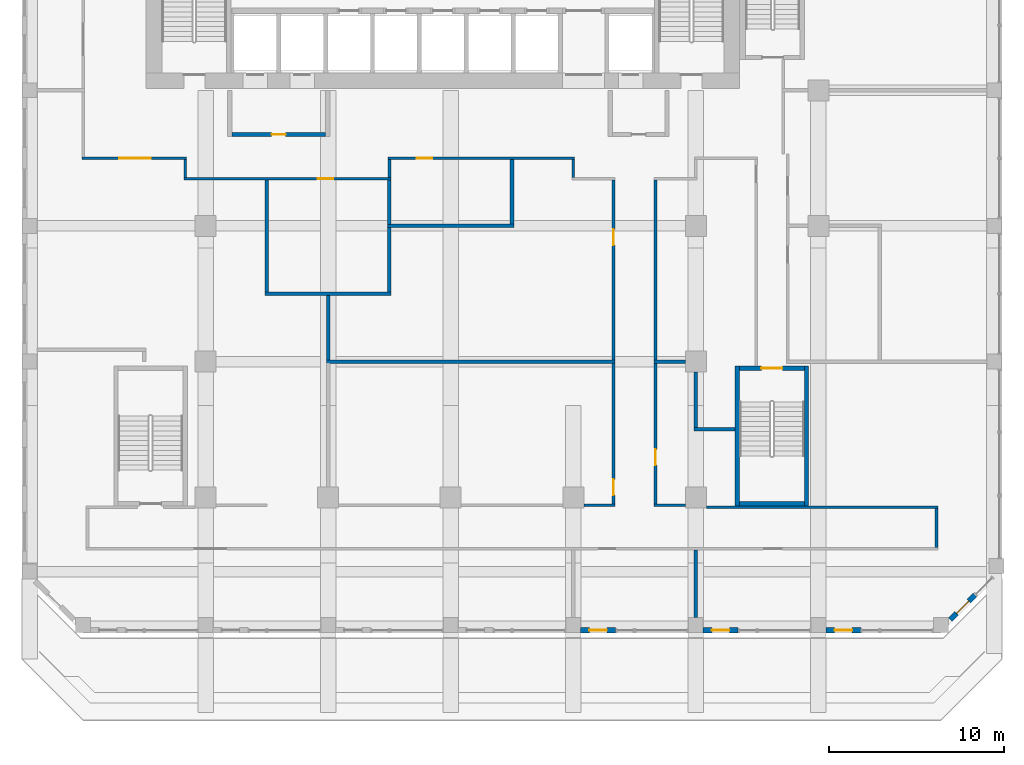
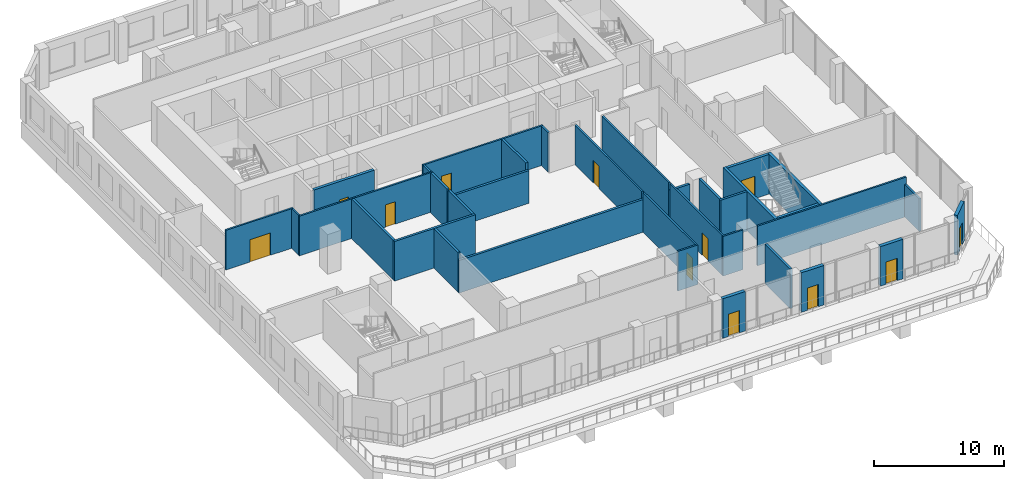
# One storey, part 10 of 17: 35 walls, 12 doors, 12 openings.
"""IFC4 building model written with IfcOpenShell, lengths in metres."""

import ifcopenshell
import ifcopenshell.guid

model = None  # the IFC model being written
_history = None  # IfcOwnerHistory: only IFC2X3 demands one
_inside = {}  # id of a spatial element -> (the spatial element, [elements in it])
_under = {}  # id of a project, library or spatial element -> (it, [spatial elements below it])
_declared = {}  # id of a project -> (the project, [libraries it declares])
_typed = {}  # id of a type object -> (the type object, [elements of that type])
_made_of = {}  # id of a material, layer set ... -> (it, [elements and type objects made of it])


def new_model(schema):
    """Start an empty IFC model of exactly this schema.

    Asked for "IFC4X3", IfcOpenShell would pick the latest addendum, in which some entities
    have other attributes; the version numbers below select the first issue.
    IFC2X3 requires an IfcOwnerHistory on every rooted entity: one is made here for all.
    """
    global model, _history
    if schema == "IFC4X3":
        model = ifcopenshell.file(schema_version=(4, 3, 0, 0))
    else:
        model = ifcopenshell.file(schema=schema)
    _inside.clear()
    _under.clear()
    _declared.clear()
    _typed.clear()
    _made_of.clear()
    _history = None
    if model.schema == "IFC2X3":
        org = make("IfcOrganization", Name="unknown")
        user = make(
            "IfcPersonAndOrganization",
            ThePerson=make("IfcPerson", FamilyName="unknown"),
            TheOrganization=org,
        )
        app = make(
            "IfcApplication",
            ApplicationDeveloper=org,
            Version="unknown",
            ApplicationFullName="unknown",
            ApplicationIdentifier="unknown",
        )
        _history = make(
            "IfcOwnerHistory",
            OwningUser=user,
            OwningApplication=app,
            ChangeAction="ADDED",
            CreationDate=0,
        )
    return model


def make(cls, **values):
    """One entity of the class cls with the attributes given. An attribute that is None is left unset."""
    return model.create_entity(
        cls, **{name: value for name, value in values.items() if value is not None}
    )


def rooted(cls, **values):
    """An entity with a GlobalId (a new one), such as an element, a storey or a relation."""
    return make(cls, GlobalId=ifcopenshell.guid.new(), OwnerHistory=_history, **values)


def si_unit(unit_type, name, prefix=None):
    """IfcSIUnit, for example si_unit("LENGTHUNIT", "METRE", prefix="MILLI")."""
    return make("IfcSIUnit", UnitType=unit_type, Prefix=prefix, Name=name)


def assignment(units):
    """IfcUnitAssignment: the units of a project."""
    return None if units is None else make("IfcUnitAssignment", Units=units)


def point(xyz):
    """IfcCartesianPoint."""
    return None if xyz is None else make("IfcCartesianPoint", Coordinates=xyz)


def direction(xyz):
    """IfcDirection."""
    return None if xyz is None else make("IfcDirection", DirectionRatios=xyz)


def frame(location, z_axis=None, x_axis=None):
    """IfcAxis2Placement3D, a coordinate frame: its origin and axes. An axis left out is left unset."""
    return make(
        "IfcAxis2Placement3D",
        Location=point(location),
        Axis=direction(z_axis),
        RefDirection=direction(x_axis),
    )


def frame_2d(location, x_axis=None):
    """IfcAxis2Placement2D, a coordinate frame in the plane: its origin and x axis."""
    return make(
        "IfcAxis2Placement2D", Location=point(location), RefDirection=direction(x_axis)
    )


def origin():
    """The frame at (0, 0, 0) with its axes left unset."""
    return frame((0.0, 0.0, 0.0))


def place(relative_to, where):
    """IfcLocalPlacement: puts the frame where relative to a parent placement (None: the world)."""
    return make(
        "IfcLocalPlacement", PlacementRelTo=relative_to, RelativePlacement=where
    )


def context(
    kind, dimensions, precision=None, world=None, true_north=None, identifier=None
):
    """IfcGeometricRepresentationContext, for example the 3D "Model" context."""
    return make(
        "IfcGeometricRepresentationContext",
        ContextIdentifier=identifier,
        ContextType=kind,
        CoordinateSpaceDimension=dimensions,
        Precision=precision,
        WorldCoordinateSystem=world,
        TrueNorth=true_north,
    )


def subcontext(parent, identifier, kind, view, scale=None):
    """IfcGeometricRepresentationSubContext, for example "Body" below "Model"."""
    return make(
        "IfcGeometricRepresentationSubContext",
        ContextIdentifier=identifier,
        ContextType=kind,
        ParentContext=parent,
        TargetScale=scale,
        TargetView=view,
    )


def project(units=None, contexts=None):
    """IfcProject with its units and contexts."""
    return rooted(
        "IfcProject",
        Name="project",
        RepresentationContexts=contexts,
        UnitsInContext=assignment(units),
    )


def spatial(cls, under=None, at=None, **own):
    """A site, building, storey or space (cls), placed at a placement, below another one or the project."""
    s = rooted(cls, ObjectPlacement=at, **own)
    if under is not None:
        _under.setdefault(under.id(), (under, []))[1].append(s)
    return s


def profile(cls, at=None, kind="AREA", **sizes):
    """A parametric profile (cls). Its sizes go by their IFC names, for example OverallWidth=200.0."""
    return make(cls, ProfileType=kind, Position=at, **sizes)


def rectangle(**sizes):
    """IfcRectangleProfileDef."""
    return profile("IfcRectangleProfileDef", **sizes)


def extrude(swept, where, along, depth):
    """IfcExtrudedAreaSolid: the profile swept, set in the frame where, extruded along a direction by depth."""
    return make(
        "IfcExtrudedAreaSolid",
        SweptArea=swept,
        Position=where,
        ExtrudedDirection=direction(along),
        Depth=depth,
    )


def shape(context_of_items, identifier, shape_type, items):
    """IfcShapeRepresentation: the items that make up one representation, for example the "Body"."""
    return make(
        "IfcShapeRepresentation",
        ContextOfItems=context_of_items,
        RepresentationIdentifier=identifier,
        RepresentationType=shape_type,
        Items=items,
    )


def source(mapping_origin, context_of_items, identifier, shape_type, items):
    """IfcRepresentationMap: a shape defined once, which mapped items show again and again."""
    return make(
        "IfcRepresentationMap",
        MappingOrigin=mapping_origin,
        MappedRepresentation=shape(context_of_items, identifier, shape_type, items),
    )


def transform(
    local_origin,
    x_axis=None,
    y_axis=None,
    z_axis=None,
    scale=None,
    scale2=None,
    scale3=None,
    uniform=True,
):
    """IfcCartesianTransformationOperator3D, or its non-uniform kind. x_axis, y_axis, z_axis: its Axis1, 2, 3."""
    if uniform:
        return make(
            "IfcCartesianTransformationOperator3D",
            Axis1=direction(x_axis),
            Axis2=direction(y_axis),
            LocalOrigin=point(local_origin),
            Scale=scale,
            Axis3=direction(z_axis),
        )
    return make(
        "IfcCartesianTransformationOperator3DnonUniform",
        Axis1=direction(x_axis),
        Axis2=direction(y_axis),
        LocalOrigin=point(local_origin),
        Scale=scale,
        Axis3=direction(z_axis),
        Scale2=scale2,
        Scale3=scale3,
    )


def mapped(mapping_source, mapping_target):
    """IfcMappedItem: shows the shape of a source again, moved by a transform."""
    return make(
        "IfcMappedItem", MappingSource=mapping_source, MappingTarget=mapping_target
    )


def material(Name=None, Category=None):
    """IfcMaterial."""
    return make("IfcMaterial", Name=Name, Category=Category)


def layer(
    of_material, thickness, ventilated=None, Name=None, Category=None, Priority=None
):
    """IfcMaterialLayer: one layer of a wall or slab, of a material (None: an air gap)."""
    return make(
        "IfcMaterialLayer",
        Material=of_material,
        LayerThickness=thickness,
        IsVentilated=ventilated,
        Name=Name,
        Category=Category,
        Priority=Priority,
    )


def layer_set(layers, Name=None):
    """IfcMaterialLayerSet."""
    return make("IfcMaterialLayerSet", MaterialLayers=layers, LayerSetName=Name)


def made_of(thing, what):
    """Note that an element or type object is made of a material, layer set ...; save() writes the relation."""
    if what is not None:
        _made_of.setdefault(what.id(), (what, []))[1].append(thing)
    return thing


def type_object(cls, material=None, **own):
    """A type object (cls), such as IfcWallType, which elements share."""
    return made_of(rooted(cls, **own), material)


def element(
    cls,
    number,
    at=None,
    inside=None,
    cuts=None,
    type_object=None,
    material=None,
    context=None,
    identifier="Body",
    shape_type=None,
    held_by="IfcProductDefinitionShape",
    body=None,
    shapes=None,
    **own,
):
    """One element of the class cls, such as IfcWall. Its Tag is "e" and its number.

    at: its placement. inside: the storey or other place that contains it. cuts: it is an
    opening in that element (IfcRelVoidsElement). A single representation is given by context,
    identifier, shape_type and body (its items); several are given by shapes. held_by: the class
    of the entity that holds the representations. save() writes the other relations.
    """
    e = rooted(cls, Tag="e%d" % number, ObjectPlacement=at, **own)
    if body is not None:
        shapes = [shape(context, identifier, shape_type, body)]
    if shapes is not None:
        e.Representation = make(held_by, Representations=shapes)
    if inside is not None:
        _inside.setdefault(inside.id(), (inside, []))[1].append(e)
    if cuts is not None:
        rooted(
            "IfcRelVoidsElement", RelatingBuildingElement=cuts, RelatedOpeningElement=e
        )
    if type_object is not None:
        _typed.setdefault(type_object.id(), (type_object, []))[1].append(e)
    return made_of(e, material)


def fill(opening, filler):
    """IfcRelFillsElement: the door or window that sits in an opening."""
    return rooted(
        "IfcRelFillsElement",
        RelatingOpeningElement=opening,
        RelatedBuildingElement=filler,
    )


def aggregate(whole, parts):
    """IfcRelAggregates: a whole, such as a stair, and the parts it consists of."""
    return rooted("IfcRelAggregates", RelatingObject=whole, RelatedObjects=parts)


def save(model, path):
    """Write the relations noted so far, then the file.

    IfcRelAggregates (storeys below a building ...), IfcRelContainedInSpatialStructure (elements
    in a storey), IfcRelDefinesByType, IfcRelAssociatesMaterial and IfcRelDeclares: one each for
    every whole, place, type object, material and project.
    """
    for whole, parts in _under.values():
        aggregate(whole, parts)
    for where, things in _inside.values():
        rooted(
            "IfcRelContainedInSpatialStructure",
            RelatedElements=things,
            RelatingStructure=where,
        )
    for kind, things in _typed.values():
        rooted("IfcRelDefinesByType", RelatedObjects=things, RelatingType=kind)
    for what, things in _made_of.values():
        rooted("IfcRelAssociatesMaterial", RelatedObjects=things, RelatingMaterial=what)
    for by, libraries in _declared.values():
        rooted("IfcRelDeclares", RelatingContext=by, RelatedDefinitions=libraries)
    model.write(path)


model = new_model("IFC4")

# Units and contexts
model_context = context("Model", 3, precision=1e-05, world=origin(), true_north=direction((0.0, 1.0)))
body_context = subcontext(model_context, "Body", "Model", "MODEL_VIEW")
ifc_project = project(units=[si_unit("LENGTHUNIT", "METRE"), si_unit("AREAUNIT", "SQUARE_METRE"), si_unit("VOLUMEUNIT", "CUBIC_METRE"), si_unit("PLANEANGLEUNIT", "RADIAN"), si_unit("MASSUNIT", "GRAM", prefix="KILO")], contexts=[model_context])

# Site, building, storey
site_placement = place(None, origin())
site = spatial("IfcSite", under=ifc_project, at=site_placement, CompositionType="ELEMENT")
building_placement = place(site_placement, origin())
building = spatial("IfcBuilding", under=site, at=building_placement, Name="Kilnfold Tower and Market Hall", CompositionType="ELEMENT")
storey_placement = place(building_placement, frame((0.0, 0.0, 100.60009765625)))
storey = spatial("IfcBuildingStorey", under=building, at=storey_placement, Name="L23", CompositionType="ELEMENT", Elevation=100.60009765625)

# Wall, opening, door
ifc_material_1 = material(Name="Gypsum board on steel studs", Category="steel")
ifc_layer_1 = layer(ifc_material_1, 0.14990234375)
ifc_layer_set_1 = layer_set([ifc_layer_1], Name="Gypsum board on steel studs")
wall_type_1 = type_object("IfcWallType", Name="WALL CORRIDOR 150", PredefinedType="PARTITIONING", material=ifc_layer_set_1)
wall_1_placement = place(storey_placement, frame((-13.735107421875, 2.949951171875, 0.0), z_axis=(0.0, 0.0, 1.0), x_axis=(1.0, 0.0, 0.0)))
wall_1 = element("IfcWall", 1, at=wall_1_placement, inside=storey, type_object=wall_type_1, Name="Partition LY16.3", PredefinedType="PARTITIONING", context=body_context, shape_type="SweptSolid", body=[
    extrude(rectangle(XDim=11.835205078125, YDim=0.14990234375, at=frame_2d((5.91748046875, 0.0))), origin(), (0.0, 0.0, 1.0), 3.719970703125),
])
opening_1_placement = place(wall_1_placement, frame((7.6298828125, 0.0, 0.0)))
opening_1 = element("IfcOpeningElement", 2, at=opening_1_placement, cuts=wall_1, Name="Opening D2", PredefinedType="OPENING", context=body_context, shape_type="SweptSolid", body=[
    extrude(rectangle(XDim=0.89990234375, YDim=2.10009765625, at=frame_2d((0.449951171875, 1.050048828125))), frame((0.0, 0.0849609375, 0.0), z_axis=(0.0, -1.0, 0.0), x_axis=(1.0, 0.0, 0.0)), (0.0, 0.0, 1.0), 0.169921875),
])
ifc_material_2 = material(Name="Timber veneer door leaf in steel frame", Category="steel")
door_type_1 = type_object("IfcDoorType", Name="DOOR ROOM 900 X2100", OperationType="NOTDEFINED", PredefinedType="DOOR", material=ifc_material_2)
door_1_placement = place(opening_1_placement, origin())
door_1 = element("IfcDoor", 3, at=door_1_placement, inside=storey, type_object=door_type_1, Name="Door D2", OperationType="SINGLE_SWING_RIGHT", OverallHeight=2.10009765625, OverallWidth=0.89990234375, PredefinedType="DOOR", context=body_context, shape_type="SweptSolid", body=[
    extrude(rectangle(XDim=0.89990234375, YDim=2.10009765625, at=frame_2d((0.449951171875, 1.050048828125))), frame((0.0, 0.02490234375, 0.0), z_axis=(0.0, -1.0, 0.0), x_axis=(1.0, 0.0, 0.0)), (0.0, 0.0, 1.0), 0.050048828125),
])
fill(opening_1, door_1)

# Wall
wall_2_placement = place(storey_placement, frame((-13.659912109375, 4.050048828125, 0.0), z_axis=(0.0, 0.0, 1.0), x_axis=(0.0, -1.0, 0.0)))
element("IfcWall", 4, at=wall_2_placement, inside=storey, type_object=wall_type_1, Name="Partition LY16.4", PredefinedType="PARTITIONING", context=body_context, shape_type="SweptSolid", body=[
    extrude(rectangle(XDim=1.025146484375, YDim=0.14990234375, at=frame_2d((0.5126953125, 0.0))), origin(), (0.0, 0.0, 1.0), 3.719970703125),
])

# Wall, opening, door
wall_3_placement = place(storey_placement, frame((-19.574951171875, 4.125, 0.0), z_axis=(0.0, 0.0, 1.0), x_axis=(1.0, 0.0, 0.0)))
wall_3 = element("IfcWall", 5, at=wall_3_placement, inside=storey, type_object=wall_type_1, Name="Partition LY16.5", PredefinedType="PARTITIONING", context=body_context, shape_type="SweptSolid", body=[
    extrude(rectangle(XDim=5.989990234375, YDim=0.14990234375, at=frame_2d((2.9951171875, 0.0))), origin(), (0.0, 0.0, 1.0), 3.719970703125),
])
opening_2_placement = place(wall_3_placement, frame((2.14599609375, 0.0, 0.0)))
opening_2 = element("IfcOpeningElement", 6, at=opening_2_placement, cuts=wall_3, Name="Opening D5", PredefinedType="OPENING", context=body_context, shape_type="SweptSolid", body=[
    extrude(rectangle(XDim=1.800048828125, YDim=2.10009765625, at=frame_2d((0.89990234375, 1.050048828125))), frame((0.0, 0.0849609375, 0.0), z_axis=(0.0, -1.0, 0.0), x_axis=(1.0, 0.0, 0.0)), (0.0, 0.0, 1.0), 0.169921875),
])
ifc_material_3 = material(Name="Timber veneer door leaf in steel frame", Category="steel")
door_type_2 = type_object("IfcDoorType", Name="DOOR DOUBLE 1800 X2100", OperationType="NOTDEFINED", PredefinedType="DOOR", material=ifc_material_3)
door_2_placement = place(opening_2_placement, origin())
door_2 = element("IfcDoor", 7, at=door_2_placement, inside=storey, type_object=door_type_2, Name="Door D5", OperationType="DOUBLE_DOOR_SINGLE_SWING", OverallHeight=2.10009765625, OverallWidth=1.800048828125, PredefinedType="DOOR", context=body_context, shape_type="SweptSolid", body=[
    extrude(rectangle(XDim=1.800048828125, YDim=2.10009765625, at=frame_2d((0.89990234375, 1.050048828125))), frame((0.0, 0.02490234375, 0.0), z_axis=(0.0, -1.0, 0.0), x_axis=(1.0, 0.0, 0.0)), (0.0, 0.0, 1.0), 0.050048828125),
])
fill(opening_2, door_2)

wall_4_placement = place(storey_placement, frame((-2.074951171875, 4.125, 0.0), z_axis=(0.0, 0.0, 1.0), x_axis=(1.0, 0.0, 0.0)))
wall_4 = element("IfcWall", 8, at=wall_4_placement, inside=storey, type_object=wall_type_1, Name="Partition LY16.10", PredefinedType="PARTITIONING", context=body_context, shape_type="SweptSolid", body=[
    extrude(rectangle(XDim=10.64990234375, YDim=0.14990234375, at=frame_2d((5.324951171875, 0.0))), origin(), (0.0, 0.0, 1.0), 3.719970703125),
])
opening_3_placement = place(wall_4_placement, frame((1.62109375, 0.0, 0.0)))
opening_3 = element("IfcOpeningElement", 9, at=opening_3_placement, cuts=wall_4, Name="Opening D3", PredefinedType="OPENING", context=body_context, shape_type="SweptSolid", body=[
    extrude(rectangle(XDim=0.89990234375, YDim=2.10009765625, at=frame_2d((0.449951171875, 1.050048828125))), frame((0.0, 0.0849609375, 0.0), z_axis=(0.0, -1.0, 0.0), x_axis=(1.0, 0.0, 0.0)), (0.0, 0.0, 1.0), 0.169921875),
])
ifc_material_4 = material(Name="Timber veneer door leaf in steel frame", Category="steel")
door_type_3 = type_object("IfcDoorType", Name="DOOR WC 900 X2100", OperationType="NOTDEFINED", PredefinedType="DOOR", material=ifc_material_4)
door_3_placement = place(opening_3_placement, origin())
door_3 = element("IfcDoor", 10, at=door_3_placement, inside=storey, type_object=door_type_3, Name="Door D3", OperationType="SINGLE_SWING_LEFT", OverallHeight=2.10009765625, OverallWidth=0.89990234375, PredefinedType="DOOR", context=body_context, shape_type="SweptSolid", body=[
    extrude(rectangle(XDim=0.89990234375, YDim=2.10009765625, at=frame_2d((0.449951171875, 1.050048828125))), frame((0.0, 0.02490234375, 0.0), z_axis=(0.0, -1.0, 0.0), x_axis=(1.0, 0.0, 0.0)), (0.0, 0.0, 1.0), 0.050048828125),
])
fill(opening_3, door_3)

# Walls
wall_5_placement = place(storey_placement, frame((-2.0, 3.02490234375, 0.0), z_axis=(0.0, 0.0, 1.0), x_axis=(0.0, 1.0, 0.0)))
element("IfcWall", 11, at=wall_5_placement, inside=storey, type_object=wall_type_1, Name="Partition LY16.11", PredefinedType="PARTITIONING", context=body_context, shape_type="SweptSolid", body=[
    extrude(rectangle(XDim=1.025146484375, YDim=0.14990234375, at=frame_2d((0.5126953125, 0.0))), origin(), (0.0, 0.0, 1.0), 3.719970703125),
])
wall_6_placement = place(storey_placement, frame((9.10009765625, -15.699951171875, 0.0), z_axis=(0.0, 0.0, 1.0), x_axis=(1.0, 0.0, 0.0)))
element("IfcWall", 12, at=wall_6_placement, inside=storey, type_object=wall_type_1, Name="Partition LY16.14", PredefinedType="PARTITIONING", context=body_context, shape_type="SweptSolid", body=[
    extrude(rectangle(XDim=1.77490234375, YDim=0.14990234375, at=frame_2d((0.887451171875, 0.0))), origin(), (0.0, 0.0, 1.0), 3.719970703125),
])

# Wall, opening, door
wall_7_placement = place(storey_placement, frame((10.800048828125, -15.625, 0.0), z_axis=(0.0, 0.0, 1.0), x_axis=(0.0, 1.0, 0.0)))
wall_7 = element("IfcWall", 13, at=wall_7_placement, inside=storey, type_object=wall_type_1, Name="Partition LY16.15", PredefinedType="PARTITIONING", context=body_context, shape_type="SweptSolid", body=[
    extrude(rectangle(XDim=8.034912109375, YDim=0.14990234375, at=frame_2d((4.017578125, 0.0))), origin(), (0.0, 0.0, 1.0), 3.719970703125),
])
opening_4_placement = place(wall_7_placement, frame((0.501953125, 0.0, 0.0)))
opening_4 = element("IfcOpeningElement", 14, at=opening_4_placement, cuts=wall_7, Name="Opening D2", PredefinedType="OPENING", context=body_context, shape_type="SweptSolid", body=[
    extrude(rectangle(XDim=0.89990234375, YDim=2.10009765625, at=frame_2d((0.449951171875, 1.050048828125))), frame((0.0, 0.0849609375, 0.0), z_axis=(0.0, -1.0, 0.0), x_axis=(1.0, 0.0, 0.0)), (0.0, 0.0, 1.0), 0.169921875),
])
door_4_placement = place(opening_4_placement, origin())
door_4 = element("IfcDoor", 15, at=door_4_placement, inside=storey, type_object=door_type_1, Name="Door D2", OperationType="SINGLE_SWING_LEFT", OverallHeight=2.10009765625, OverallWidth=0.89990234375, PredefinedType="DOOR", context=body_context, shape_type="SweptSolid", body=[
    extrude(rectangle(XDim=0.89990234375, YDim=2.10009765625, at=frame_2d((0.449951171875, 1.050048828125))), frame((0.0, 0.02490234375, 0.0), z_axis=(0.0, -1.0, 0.0), x_axis=(1.0, 0.0, 0.0)), (0.0, 0.0, 1.0), 0.050048828125),
])
fill(opening_4, door_4)

wall_8_placement = place(storey_placement, frame((10.800048828125, -7.409912109375, 0.0), z_axis=(0.0, 0.0, 1.0), x_axis=(0.0, 1.0, 0.0)))
wall_8 = element("IfcWall", 16, at=wall_8_placement, inside=storey, type_object=wall_type_1, Name="Partition LY16.16", PredefinedType="PARTITIONING", context=body_context, shape_type="SweptSolid", body=[
    extrude(rectangle(XDim=10.284912109375, YDim=0.14990234375, at=frame_2d((5.142578125, 0.0))), origin(), (0.0, 0.0, 1.0), 3.719970703125),
])
opening_5_placement = place(wall_8_placement, frame((6.56005859375, 0.0, 0.0)))
opening_5 = element("IfcOpeningElement", 17, at=opening_5_placement, cuts=wall_8, Name="Opening D2", PredefinedType="OPENING", context=body_context, shape_type="SweptSolid", body=[
    extrude(rectangle(XDim=0.89990234375, YDim=2.10009765625, at=frame_2d((0.449951171875, 1.050048828125))), frame((0.0, 0.0849609375, 0.0), z_axis=(0.0, -1.0, 0.0), x_axis=(1.0, 0.0, 0.0)), (0.0, 0.0, 1.0), 0.169921875),
])
door_5_placement = place(opening_5_placement, origin())
door_5 = element("IfcDoor", 18, at=door_5_placement, inside=storey, type_object=door_type_1, Name="Door D2", OperationType="SINGLE_SWING_LEFT", OverallHeight=2.10009765625, OverallWidth=0.89990234375, PredefinedType="DOOR", context=body_context, shape_type="SweptSolid", body=[
    extrude(rectangle(XDim=0.89990234375, YDim=2.10009765625, at=frame_2d((0.449951171875, 1.050048828125))), frame((0.0, 0.02490234375, 0.0), z_axis=(0.0, -1.0, 0.0), x_axis=(1.0, 0.0, 0.0)), (0.0, 0.0, 1.0), 0.050048828125),
])
fill(opening_5, door_5)

# Walls
wall_9_placement = place(storey_placement, frame((8.5, 4.050048828125, 0.0), z_axis=(0.0, 0.0, 1.0), x_axis=(0.0, -1.0, 0.0)))
element("IfcWall", 19, at=wall_9_placement, inside=storey, type_object=wall_type_1, Name="Partition LY16.18", PredefinedType="PARTITIONING", context=body_context, shape_type="SweptSolid", body=[
    extrude(rectangle(XDim=1.025146484375, YDim=0.14990234375, at=frame_2d((0.5126953125, 0.0))), origin(), (0.0, 0.0, 1.0), 3.719970703125),
])
wall_10_placement = place(storey_placement, frame((13.125, -15.699951171875, 0.0), z_axis=(0.0, 0.0, 1.0), x_axis=(1.0, 0.0, 0.0)))
element("IfcWall", 20, at=wall_10_placement, inside=storey, type_object=wall_type_1, Name="Partition LY16.19", PredefinedType="PARTITIONING", context=body_context, shape_type="SweptSolid", body=[
    extrude(rectangle(XDim=1.77490234375, YDim=0.14990234375, at=frame_2d((0.887451171875, 0.0))), origin(), (0.0, 0.0, 1.0), 3.719970703125),
])
wall_11_placement = place(storey_placement, frame((16.10009765625, -15.824951171875, 0.0), z_axis=(0.0, 0.0, 1.0), x_axis=(1.0, 0.0, 0.0)))
element("IfcWall", 21, at=wall_11_placement, inside=storey, type_object=wall_type_1, Name="Partition LY16.20", PredefinedType="PARTITIONING", context=body_context, shape_type="SweptSolid", body=[
    extrude(rectangle(XDim=13.224853515625, YDim=0.14990234375, at=frame_2d((6.6123046875, 0.0))), origin(), (0.0, 0.0, 1.0), 3.719970703125),
])

# Wall, opening, door
wall_12_placement = place(storey_placement, frame((13.199951171875, -15.625, 0.0), z_axis=(0.0, 0.0, 1.0), x_axis=(0.0, 1.0, 0.0)))
wall_12 = element("IfcWall", 22, at=wall_12_placement, inside=storey, type_object=wall_type_1, Name="Partition LY16.21", PredefinedType="PARTITIONING", context=body_context, shape_type="SweptSolid", body=[
    extrude(rectangle(XDim=8.034912109375, YDim=0.14990234375, at=frame_2d((4.017578125, 0.0))), origin(), (0.0, 0.0, 1.0), 3.719970703125),
])
opening_6_placement = place(wall_12_placement, frame((2.2099609375, 0.0, 0.0)))
opening_6 = element("IfcOpeningElement", 23, at=opening_6_placement, cuts=wall_12, Name="Opening D3", PredefinedType="OPENING", context=body_context, shape_type="SweptSolid", body=[
    extrude(rectangle(XDim=0.89990234375, YDim=2.10009765625, at=frame_2d((0.449951171875, 1.050048828125))), frame((0.0, 0.0849609375, 0.0), z_axis=(0.0, -1.0, 0.0), x_axis=(1.0, 0.0, 0.0)), (0.0, 0.0, 1.0), 0.169921875),
])
door_6_placement = place(opening_6_placement, origin())
door_6 = element("IfcDoor", 24, at=door_6_placement, inside=storey, type_object=door_type_3, Name="Door D3", OperationType="SINGLE_SWING_LEFT", OverallHeight=2.10009765625, OverallWidth=0.89990234375, PredefinedType="DOOR", context=body_context, shape_type="SweptSolid", body=[
    extrude(rectangle(XDim=0.89990234375, YDim=2.10009765625, at=frame_2d((0.449951171875, 1.050048828125))), frame((0.0, 0.02490234375, 0.0), z_axis=(0.0, -1.0, 0.0), x_axis=(1.0, 0.0, 0.0)), (0.0, 0.0, 1.0), 0.050048828125),
])
fill(opening_6, door_6)

# Walls
wall_13_placement = place(storey_placement, frame((29.25, -18.125, 0.0), z_axis=(0.0, 0.0, 1.0), x_axis=(0.0, 1.0, 0.0)))
element("IfcWall", 25, at=wall_13_placement, inside=storey, type_object=wall_type_1, Name="Partition LY16.22", PredefinedType="PARTITIONING", context=body_context, shape_type="SweptSolid", body=[
    extrude(rectangle(XDim=2.22509765625, YDim=0.14990234375, at=frame_2d((1.112548828125, 0.0))), origin(), (0.0, 0.0, 1.0), 3.06982421875),
])
wall_14_placement = place(storey_placement, frame((13.199951171875, -7.409912109375, 0.0), z_axis=(0.0, 0.0, 1.0), x_axis=(0.0, 1.0, 0.0)))
element("IfcWall", 26, at=wall_14_placement, inside=storey, type_object=wall_type_1, Name="Partition LY16.27", PredefinedType="PARTITIONING", context=body_context, shape_type="SweptSolid", body=[
    extrude(rectangle(XDim=10.284912109375, YDim=0.14990234375, at=frame_2d((5.142578125, 0.0))), origin(), (0.0, 0.0, 1.0), 3.719970703125),
])
ifc_material_5 = material(Name="Gypsum board on steel studs", Category="steel")
ifc_layer_2 = layer(ifc_material_5, 0.199951171875)
ifc_layer_set_2 = layer_set([ifc_layer_2], Name="Gypsum board on steel studs")
wall_type_2 = type_object("IfcWallType", Name="WALL PARTY 200", PredefinedType="PARTITIONING", material=ifc_layer_set_2)
wall_15_placement = place(storey_placement, frame((-9.0, -3.52490234375, 0.0), z_axis=(0.0, 0.0, 1.0), x_axis=(0.0, 1.0, 0.0)))
element("IfcWall", 27, at=wall_15_placement, inside=storey, type_object=wall_type_2, Name="Partition LY16.36", PredefinedType="PARTITIONING", context=body_context, shape_type="SweptSolid", body=[
    extrude(rectangle(XDim=6.39892578125, YDim=0.199951171875, at=frame_2d((3.199462890625, 0.0))), origin(), (0.0, 0.0, 1.0), 3.719970703125),
])
wall_16_placement = place(storey_placement, frame((-9.10009765625, -3.625, 0.0), z_axis=(0.0, 0.0, 1.0), x_axis=(1.0, 0.0, 0.0)))
element("IfcWall", 28, at=wall_16_placement, inside=storey, type_object=wall_type_2, Name="Partition LY16.37", PredefinedType="PARTITIONING", context=body_context, shape_type="SweptSolid", body=[
    extrude(rectangle(XDim=7.2001953125, YDim=0.199951171875, at=frame_2d((3.60009765625, 0.0))), origin(), (0.0, 0.0, 1.0), 3.719970703125),
])
wall_17_placement = place(storey_placement, frame((-5.5, -7.409912109375, 0.0), z_axis=(0.0, 0.0, 1.0), x_axis=(0.0, 1.0, 0.0)))
element("IfcWall", 29, at=wall_17_placement, inside=storey, type_object=wall_type_2, Name="Partition LY16.41", PredefinedType="PARTITIONING", context=body_context, shape_type="SweptSolid", body=[
    extrude(rectangle(XDim=3.684814453125, YDim=0.199951171875, at=frame_2d((1.84228515625, 0.0))), origin(), (0.0, 0.0, 1.0), 3.719970703125),
])
wall_18_placement = place(storey_placement, frame((-2.0, 0.340087890625, 0.0), z_axis=(0.0, 0.0, 1.0), x_axis=(0.0, 1.0, 0.0)))
element("IfcWall", 30, at=wall_18_placement, inside=storey, type_object=wall_type_2, Name="Partition LY16.43", PredefinedType="PARTITIONING", context=body_context, shape_type="SweptSolid", body=[
    extrude(rectangle(XDim=2.533935546875, YDim=0.199951171875, at=frame_2d((1.26708984375, 0.0))), origin(), (0.0, 0.0, 1.0), 3.719970703125),
])
wall_19_placement = place(storey_placement, frame((-2.0, -3.52490234375, 0.0), z_axis=(0.0, 0.0, 1.0), x_axis=(0.0, 1.0, 0.0)))
element("IfcWall", 31, at=wall_19_placement, inside=storey, type_object=wall_type_2, Name="Partition LY16.44", PredefinedType="PARTITIONING", context=body_context, shape_type="SweptSolid", body=[
    extrude(rectangle(XDim=3.684814453125, YDim=0.199951171875, at=frame_2d((1.84228515625, 0.0))), origin(), (0.0, 0.0, 1.0), 3.719970703125),
])
wall_20_placement = place(storey_placement, frame((5.0, 0.35009765625, 0.0), z_axis=(0.0, 0.0, 1.0), x_axis=(0.0, 1.0, 0.0)))
element("IfcWall", 32, at=wall_20_placement, inside=storey, type_object=wall_type_2, Name="Partition LY16.46", PredefinedType="PARTITIONING", context=body_context, shape_type="SweptSolid", body=[
    extrude(rectangle(XDim=3.698974609375, YDim=0.199951171875, at=frame_2d((1.849609375, 0.0))), origin(), (0.0, 0.0, 1.0), 3.719970703125),
])
wall_21_placement = place(storey_placement, frame((-2.10009765625, 0.25, 0.0), z_axis=(0.0, 0.0, 1.0), x_axis=(1.0, 0.0, 0.0)))
element("IfcWall", 33, at=wall_21_placement, inside=storey, type_object=wall_type_2, Name="Partition LY16.47", PredefinedType="PARTITIONING", context=body_context, shape_type="SweptSolid", body=[
    extrude(rectangle(XDim=7.2001953125, YDim=0.199951171875, at=frame_2d((3.60009765625, 0.0))), origin(), (0.0, 0.0, 1.0), 3.06982421875),
])
wall_22_placement = place(storey_placement, frame((15.5, -22.125, 0.0), z_axis=(0.0, 0.0, 1.0), x_axis=(0.0, 1.0, 0.0)))
element("IfcWall", 34, at=wall_22_placement, inside=storey, type_object=wall_type_2, Name="Partition LY16.48", PredefinedType="PARTITIONING", context=body_context, shape_type="SweptSolid", body=[
    extrude(rectangle(XDim=3.84912109375, YDim=0.199951171875, at=frame_2d((1.924560546875, 0.0))), origin(), (0.0, 0.0, 1.0), 3.719970703125),
])
wall_23_placement = place(storey_placement, frame((-5.60009765625, -7.5, 0.0), z_axis=(0.0, 0.0, 1.0), x_axis=(1.0, 0.0, 0.0)))
element("IfcWall", 35, at=wall_23_placement, inside=storey, type_object=wall_type_2, Name="Partition LY16.49", PredefinedType="PARTITIONING", context=body_context, shape_type="SweptSolid", body=[
    extrude(rectangle(XDim=16.47412109375, YDim=0.199951171875, at=frame_2d((8.237060546875, 0.0))), origin(), (0.0, 0.0, 1.0), 3.06982421875),
])
wall_24_placement = place(storey_placement, frame((13.1259765625, -7.5, 0.0), z_axis=(0.0, 0.0, 1.0), x_axis=(1.0, 0.0, 0.0)))
element("IfcWall", 36, at=wall_24_placement, inside=storey, type_object=wall_type_2, Name="Partition LY16.50", PredefinedType="PARTITIONING", context=body_context, shape_type="SweptSolid", body=[
    extrude(rectangle(XDim=1.77392578125, YDim=0.199951171875, at=frame_2d((0.886962890625, 0.0))), origin(), (0.0, 0.0, 1.0), 3.06982421875),
])
wall_25_placement = place(storey_placement, frame((15.5, -11.27490234375, 0.0), z_axis=(0.0, 0.0, 1.0), x_axis=(0.0, 1.0, 0.0)))
element("IfcWall", 37, at=wall_25_placement, inside=storey, type_object=wall_type_2, Name="Partition LY16.51", PredefinedType="PARTITIONING", context=body_context, shape_type="SweptSolid", body=[
    extrude(rectangle(XDim=3.1748046875, YDim=0.199951171875, at=frame_2d((1.58740234375, 0.0))), origin(), (0.0, 0.0, 1.0), 3.719970703125),
])
wall_26_placement = place(storey_placement, frame((17.75, -11.375, 0.0), z_axis=(0.0, 0.0, 1.0), x_axis=(-1.0, 0.0, 0.0)))
element("IfcWall", 38, at=wall_26_placement, inside=storey, type_object=wall_type_2, Name="Partition LY16.52", PredefinedType="PARTITIONING", context=body_context, shape_type="SweptSolid", body=[
    extrude(rectangle(XDim=2.35009765625, YDim=0.199951171875, at=frame_2d((1.175048828125, 0.0))), origin(), (0.0, 0.0, 1.0), 3.719970703125),
])
ifc_material_6 = material(Name="Concrete C70", Category="concrete")
ifc_layer_3 = layer(ifc_material_6, 0.25)
ifc_layer_set_3 = layer_set([ifc_layer_3], Name="Concrete C70")
wall_type_3 = type_object("IfcWallType", Name="CORE WALL 250 C70", PredefinedType="SHEAR", material=ifc_layer_set_3)
shared_shape_1 = source(origin(), body_context, "Body", "SweptSolid", [
    extrude(rectangle(XDim=3.699951171875, YDim=0.25, at=frame_2d((1.85009765625, 0.0))), origin(), (0.0, 0.0, 1.0), 3.719970703125),
])
wall_27_placement = place(storey_placement, frame((18.0, -15.625, 0.0), z_axis=(0.0, 0.0, 1.0), x_axis=(1.0, 0.0, 0.0)))
element("IfcWall", 39, at=wall_27_placement, inside=storey, type_object=wall_type_3, Name="Stair enclosure ST4", PredefinedType="SHEAR", context=body_context, shape_type="MappedRepresentation", body=[
    mapped(shared_shape_1, transform((0.0, 0.0, 0.0))),
])

# Wall, opening, door
wall_28_placement = place(storey_placement, frame((18.0, -7.875, 0.0), z_axis=(0.0, 0.0, 1.0), x_axis=(1.0, 0.0, 0.0)))
wall_28 = element("IfcWall", 40, at=wall_28_placement, inside=storey, type_object=wall_type_3, Name="Stair enclosure ST4", PredefinedType="SHEAR", context=body_context, shape_type="MappedRepresentation", body=[
    mapped(shared_shape_1, transform((0.0, 0.0, 0.0))),
])
opening_7_placement = place(wall_28_placement, frame((1.25, 0.0, 0.0)))
opening_7 = element("IfcOpeningElement", 41, at=opening_7_placement, cuts=wall_28, Name="Opening SD1", PredefinedType="OPENING", context=body_context, shape_type="SweptSolid", body=[
    extrude(rectangle(XDim=1.199951171875, YDim=2.10009765625, at=frame_2d((0.60009765625, 1.050048828125))), frame((0.0, 0.135009765625, 0.0), z_axis=(0.0, -1.0, 0.0), x_axis=(1.0, 0.0, 0.0)), (0.0, 0.0, 1.0), 0.27001953125),
])
ifc_material_7 = material(Name="Steel door set with fire-resisting leaf", Category="steel")
door_type_4 = type_object("IfcDoorType", Name="STAIR FLOOR DOOR 1200X2100", OperationType="NOTDEFINED", PredefinedType="DOOR", material=ifc_material_7)
door_7_placement = place(opening_7_placement, origin())
door_7 = element("IfcDoor", 42, at=door_7_placement, inside=storey, type_object=door_type_4, Name="Exit stair ST4 door", OperationType="DOUBLE_DOOR_SINGLE_SWING", OverallHeight=2.10009765625, OverallWidth=1.199951171875, PredefinedType="DOOR", context=body_context, shape_type="SweptSolid", body=[
    extrude(rectangle(XDim=1.199951171875, YDim=2.10009765625, at=frame_2d((0.60009765625, 1.050048828125))), frame((0.0, 0.02490234375, 0.0), z_axis=(0.0, -1.0, 0.0), x_axis=(1.0, 0.0, 0.0)), (0.0, 0.0, 1.0), 0.050048828125),
])
fill(opening_7, door_7)

# Walls
shared_shape_2 = source(origin(), body_context, "Body", "SweptSolid", [
    extrude(rectangle(XDim=8.0, YDim=0.25, at=frame_2d((4.0, 0.0))), origin(), (0.0, 0.0, 1.0), 3.719970703125),
])
for number, where, z_axis, x_axis, name in (
    (43, (17.875, -15.75, 0.0), (0.0, 0.0, 1.0), (0.0, 1.0, 0.0), "Stair enclosure ST4"),
    (44, (21.824951171875, -15.75, 0.0), (0.0, 0.0, 1.0), (0.0, 1.0, 0.0), "Stair enclosure ST4"),
):
    element("IfcWall", number, at=place(storey_placement, frame(where, z_axis=z_axis, x_axis=x_axis)), inside=storey, type_object=wall_type_3, Name=name, PredefinedType="SHEAR", context=body_context, shape_type="MappedRepresentation", body=[
        mapped(shared_shape_2, transform((0.0, 0.0, 0.0))),
    ])

# Wall, opening, door
ifc_material_8 = material(Name="Precast concrete C50/60", Category="concrete")
ifc_layer_4 = layer(ifc_material_8, 0.300048828125)
ifc_layer_set_4 = layer_set([ifc_layer_4], Name="Precast concrete C50/60")
wall_type_4 = type_object("IfcWallType", Name="PRECAST WALL 300", PredefinedType="SOLIDWALL", material=ifc_layer_set_4)
shared_shape_3 = source(origin(), body_context, "Body", "SweptSolid", [
    extrude(rectangle(XDim=2.0, YDim=0.300048828125, at=frame_2d((1.0, 0.0))), origin(), (0.0, 0.0, 1.0), 3.719970703125),
])
wall_29_placement = place(storey_placement, frame((8.925048828125, -22.85009765625, 0.0), z_axis=(0.0, 0.0, 1.0), x_axis=(1.0, 0.0, 0.0)))
wall_29 = element("IfcWall", 45, at=wall_29_placement, inside=storey, type_object=wall_type_4, Name="External wall L23 S", PredefinedType="SOLIDWALL", context=body_context, shape_type="MappedRepresentation", body=[
    mapped(shared_shape_3, transform((0.0, 0.0, 0.0))),
])
opening_8_placement = place(wall_29_placement, frame((0.5, 0.0, 0.0)))
opening_8 = element("IfcOpeningElement", 46, at=opening_8_placement, cuts=wall_29, Name="Opening BD1", PredefinedType="OPENING", context=body_context, shape_type="SweptSolid", body=[
    extrude(rectangle(XDim=1.0, YDim=2.10009765625, at=frame_2d((0.5, 1.050048828125))), frame((0.0, 0.16015625, 0.0), z_axis=(0.0, -1.0, 0.0), x_axis=(1.0, 0.0, 0.0)), (0.0, 0.0, 1.0), 0.320068359375),
])
ifc_material_9 = material(Name="Aluminium frame and double glazing", Category="aluminium")
door_type_5 = type_object("IfcDoorType", Name="BALCONY DOOR 1000X2100", OperationType="NOTDEFINED", PredefinedType="DOOR", material=ifc_material_9)
door_8_placement = place(opening_8_placement, origin())
door_8 = element("IfcDoor", 47, at=door_8_placement, inside=storey, type_object=door_type_5, Name="Balcony door BD1 L23 S-1", OperationType="SINGLE_SWING_LEFT", OverallHeight=2.10009765625, OverallWidth=1.0, PredefinedType="DOOR", context=body_context, shape_type="SweptSolid", body=[
    extrude(rectangle(XDim=1.0, YDim=2.10009765625, at=frame_2d((0.5, 1.050048828125))), frame((0.0, 0.02490234375, 0.0), z_axis=(0.0, -1.0, 0.0), x_axis=(1.0, 0.0, 0.0)), (0.0, 0.0, 1.0), 0.050048828125),
])
fill(opening_8, door_8)

wall_30_placement = place(storey_placement, frame((15.925048828125, -22.85009765625, 0.0), z_axis=(0.0, 0.0, 1.0), x_axis=(1.0, 0.0, 0.0)))
wall_30 = element("IfcWall", 48, at=wall_30_placement, inside=storey, type_object=wall_type_4, Name="External wall L23 S", PredefinedType="SOLIDWALL", context=body_context, shape_type="MappedRepresentation", body=[
    mapped(shared_shape_3, transform((0.0, 0.0, 0.0))),
])
opening_9_placement = place(wall_30_placement, frame((0.5, 0.0, 0.0)))
opening_9 = element("IfcOpeningElement", 49, at=opening_9_placement, cuts=wall_30, Name="Opening BD1", PredefinedType="OPENING", context=body_context, shape_type="SweptSolid", body=[
    extrude(rectangle(XDim=1.0, YDim=2.10009765625, at=frame_2d((0.5, 1.050048828125))), frame((0.0, 0.16015625, 0.0), z_axis=(0.0, -1.0, 0.0), x_axis=(1.0, 0.0, 0.0)), (0.0, 0.0, 1.0), 0.320068359375),
])
door_9_placement = place(opening_9_placement, origin())
door_9 = element("IfcDoor", 50, at=door_9_placement, inside=storey, type_object=door_type_5, Name="Balcony door BD1 L23 S-1", OperationType="SINGLE_SWING_LEFT", OverallHeight=2.10009765625, OverallWidth=1.0, PredefinedType="DOOR", context=body_context, shape_type="SweptSolid", body=[
    extrude(rectangle(XDim=1.0, YDim=2.10009765625, at=frame_2d((0.5, 1.050048828125))), frame((0.0, 0.02490234375, 0.0), z_axis=(0.0, -1.0, 0.0), x_axis=(1.0, 0.0, 0.0)), (0.0, 0.0, 1.0), 0.050048828125),
])
fill(opening_9, door_9)

wall_31_placement = place(storey_placement, frame((22.925048828125, -22.85009765625, 0.0), z_axis=(0.0, 0.0, 1.0), x_axis=(1.0, 0.0, 0.0)))
wall_31 = element("IfcWall", 51, at=wall_31_placement, inside=storey, type_object=wall_type_4, Name="External wall L23 S", PredefinedType="SOLIDWALL", context=body_context, shape_type="MappedRepresentation", body=[
    mapped(shared_shape_3, transform((0.0, 0.0, 0.0))),
])
opening_10_placement = place(wall_31_placement, frame((0.5, 0.0, 0.0)))
opening_10 = element("IfcOpeningElement", 52, at=opening_10_placement, cuts=wall_31, Name="Opening BD1", PredefinedType="OPENING", context=body_context, shape_type="SweptSolid", body=[
    extrude(rectangle(XDim=1.0, YDim=2.10009765625, at=frame_2d((0.5, 1.050048828125))), frame((0.0, 0.16015625, 0.0), z_axis=(0.0, -1.0, 0.0), x_axis=(1.0, 0.0, 0.0)), (0.0, 0.0, 1.0), 0.320068359375),
])
door_10_placement = place(opening_10_placement, origin())
door_10 = element("IfcDoor", 53, at=door_10_placement, inside=storey, type_object=door_type_5, Name="Balcony door BD1 L23 S-1", OperationType="SINGLE_SWING_LEFT", OverallHeight=2.10009765625, OverallWidth=1.0, PredefinedType="DOOR", context=body_context, shape_type="SweptSolid", body=[
    extrude(rectangle(XDim=1.0, YDim=2.10009765625, at=frame_2d((0.5, 1.050048828125))), frame((0.0, 0.02490234375, 0.0), z_axis=(0.0, -1.0, 0.0), x_axis=(1.0, 0.0, 0.0)), (0.0, 0.0, 1.0), 0.050048828125),
])
fill(opening_10, door_10)

wall_32_placement = place(storey_placement, frame((30.0439453125, -22.243896484375, 0.0), z_axis=(0.0, 0.0, 1.0), x_axis=(0.707045742145, 0.70716781496, 0.0)))
wall_32 = element("IfcWall", 54, at=wall_32_placement, inside=storey, type_object=wall_type_4, Name="External wall L23 SE", PredefinedType="SOLIDWALL", context=body_context, shape_type="MappedRepresentation", body=[
    mapped(shared_shape_3, transform((0.0, 0.0, 0.0))),
])
opening_11_placement = place(wall_32_placement, frame((0.5, 0.0, 0.0)))
opening_11 = element("IfcOpeningElement", 55, at=opening_11_placement, cuts=wall_32, Name="Opening BD1", PredefinedType="OPENING", context=body_context, shape_type="SweptSolid", body=[
    extrude(rectangle(XDim=1.0, YDim=2.10009765625, at=frame_2d((0.5, 1.050048828125))), frame((0.0, 0.16015625, 0.0), z_axis=(0.0, -1.0, 0.0), x_axis=(1.0, 0.0, 0.0)), (0.0, 0.0, 1.0), 0.320068359375),
])
door_11_placement = place(opening_11_placement, origin())
door_11 = element("IfcDoor", 56, at=door_11_placement, inside=storey, type_object=door_type_5, Name="Balcony door BD1 L23 SE-1", OperationType="SINGLE_SWING_LEFT", OverallHeight=2.10009765625, OverallWidth=1.0, PredefinedType="DOOR", context=body_context, shape_type="SweptSolid", body=[
    extrude(rectangle(XDim=1.0, YDim=2.10009765625, at=frame_2d((0.5, 1.050048828125))), frame((0.0, 0.02490234375, 0.0), z_axis=(0.0, -1.0, 0.0), x_axis=(1.0, 0.0, 0.0)), (0.0, 0.0, 1.0), 0.050048828125),
])
fill(opening_11, door_11)

ifc_material_10 = material(Name="Gypsum shaft wall system")
ifc_layer_5 = layer(ifc_material_10, 0.25)
ifc_layer_set_5 = layer_set([ifc_layer_5], Name="Gypsum shaft wall system")
wall_type_5 = type_object("IfcWallType", Name="LOBBY WALL 250", PredefinedType="PARTITIONING", material=ifc_layer_set_5)
shared_shape_4 = source(origin(), body_context, "Body", "SweptSolid", [
    extrude(rectangle(XDim=5.360107421875, YDim=0.25, at=frame_2d((2.68017578125, 0.0))), origin(), (0.0, 0.0, 1.0), 3.719970703125),
])
wall_33_placement = place(storey_placement, frame((-11.010009765625, 5.47509765625, 0.0), z_axis=(0.0, 0.0, 1.0), x_axis=(1.0, 0.0, 0.0)))
wall_33 = element("IfcWall", 57, at=wall_33_placement, inside=storey, type_object=wall_type_5, Name="Firefighting lobby wall", PredefinedType="PARTITIONING", context=body_context, shape_type="MappedRepresentation", body=[
    mapped(shared_shape_4, transform((0.0, 0.0, 0.0))),
])
opening_12_placement = place(wall_33_placement, frame((2.280029296875, 0.0, 0.0)))
opening_12 = element("IfcOpeningElement", 58, at=opening_12_placement, cuts=wall_33, Name="Opening VD1", PredefinedType="OPENING", context=body_context, shape_type="SweptSolid", body=[
    extrude(rectangle(XDim=0.800048828125, YDim=2.0, at=frame_2d((0.39990234375, 1.0))), frame((0.0, 0.135009765625, 0.0), z_axis=(0.0, -1.0, 0.0), x_axis=(1.0, 0.0, 0.0)), (0.0, 0.0, 1.0), 0.27001953125),
])
ifc_material_11 = material(Name="Steel door set with fire-resisting leaf", Category="steel")
door_type_6 = type_object("IfcDoorType", Name="FIREFIGHTING LOBBY DOOR 800X2000", OperationType="NOTDEFINED", PredefinedType="DOOR", material=ifc_material_11)
door_12_placement = place(opening_12_placement, origin())
door_12 = element("IfcDoor", 59, at=door_12_placement, inside=storey, type_object=door_type_6, Name="Firefighting lobby door", OperationType="SINGLE_SWING_LEFT", OverallHeight=2.0, OverallWidth=0.800048828125, PredefinedType="DOOR", context=body_context, shape_type="SweptSolid", body=[
    extrude(rectangle(XDim=0.800048828125, YDim=2.0, at=frame_2d((0.39990234375, 1.0))), frame((0.0, 0.02490234375, 0.0), z_axis=(0.0, -1.0, 0.0), x_axis=(1.0, 0.0, 0.0)), (0.0, 0.0, 1.0), 0.050048828125),
])
fill(opening_12, door_12)

save(model, "model.ifc")
